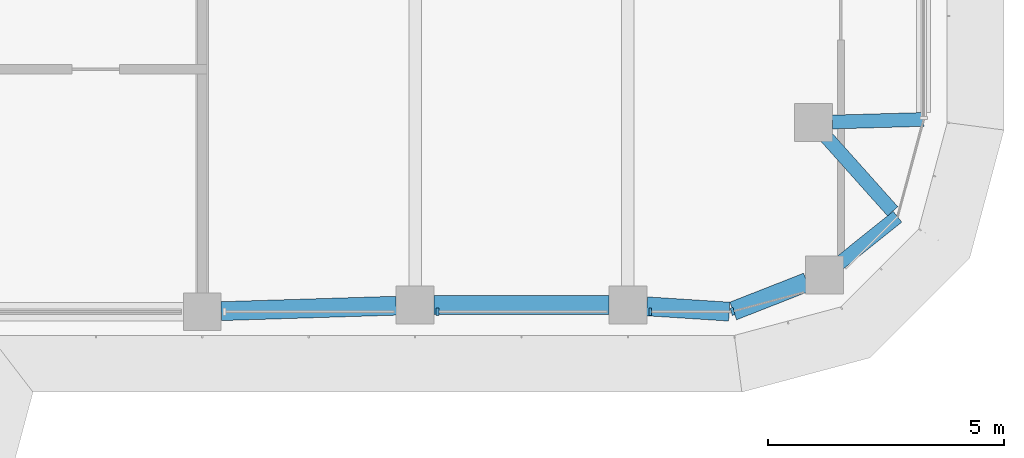
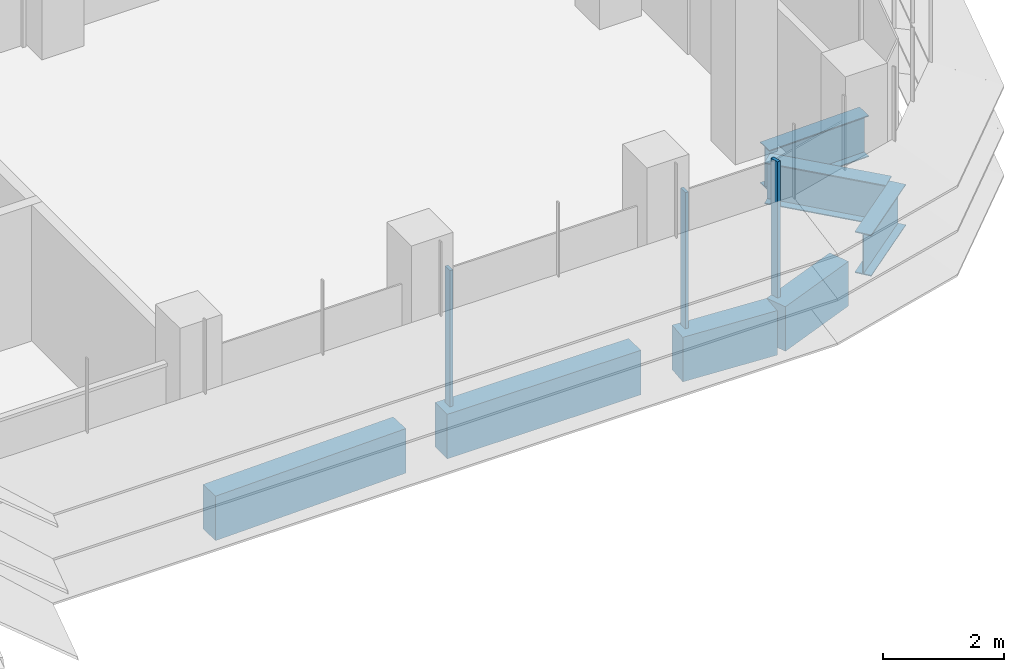
# One storey, part 5 of 20: 7 beams, 3 members, 2 elements without a shape of their own.
"""IFC4 building model written with IfcOpenShell, lengths in metres."""

from ifc_helpers import new_model, si_unit, direction, frame, origin, origin_2d, place, context, subcontext, project, spatial, polyline, rectangle, i_section, outline, extrude, source, transform, mapped, material, material_profile, profile_set, type_object, element, aggregate, save


model = new_model("IFC4")

# Units and contexts
model_context = context("Model", 3, precision=1e-05, world=origin(), true_north=direction((0.0, 1.0)))
body_context = subcontext(model_context, "Body", "Model", "MODEL_VIEW")
ifc_project = project(units=[si_unit("LENGTHUNIT", "METRE"), si_unit("AREAUNIT", "SQUARE_METRE"), si_unit("VOLUMEUNIT", "CUBIC_METRE"), si_unit("PLANEANGLEUNIT", "RADIAN"), si_unit("MASSUNIT", "GRAM", prefix="KILO")], contexts=[model_context])

# Site, building, storey
site_placement = place(None, origin())
site = spatial("IfcSite", under=ifc_project, at=site_placement, CompositionType="ELEMENT")
building_placement = place(site_placement, origin())
building = spatial("IfcBuilding", under=site, at=building_placement, Name="Zarbagh Exchange Tower", CompositionType="ELEMENT")
storey_placement = place(building_placement, frame((0.0, 0.0, 186.60009765625)))
storey = spatial("IfcBuildingStorey", under=building, at=storey_placement, Name="L45", CompositionType="ELEMENT", Elevation=186.60009765625)

# Beams
ifc_material_1 = material(Name="Steel ASTM A992 Gr 50", Category="steel")
ifc_material_profile_1 = material_profile(ifc_material_1, i_section(OverallWidth=0.2919921875, OverallDepth=0.835693359375, WebThickness=0.013916015625, FlangeThickness=0.018798828125, at=origin_2d()), Name="W33X118")
ifc_profile_set_1 = profile_set([ifc_material_profile_1], Name="Steel ASTM A992 Gr 50")
beam_type_1 = type_object("IfcBeamType", Name="Floor girder W33X118", PredefinedType="BEAM", material=ifc_profile_set_1)
beam_1_placement = place(storey_placement, frame((31.0, -2.18408203125, -0.56787109375), z_axis=(-0.999598864551, -0.028321546377, 0.0), x_axis=(0.028321546377, -0.999598864551, 0.0)))
element("IfcBeam", 1, at=beam_1_placement, inside=storey, type_object=beam_type_1, Name="Steel girder", PredefinedType="BEAM", context=body_context, shape_type="SweptSolid", body=[
    extrude(i_section(OverallWidth=0.2919921875, OverallDepth=0.835693359375, WebThickness=0.013916015625, FlangeThickness=0.018798828125, at=origin_2d()), origin(), (0.0, 0.0, 1.0), 1.930908203125),
])
beam_2_placement = place(storey_placement, frame((28.9365234375, -2.54833984375, -0.56787109375), z_axis=(0.666238158503, -0.745739040251, 0.0), x_axis=(0.745739040251, 0.666238158503, 0.0)))
element("IfcBeam", 2, at=beam_2_placement, inside=storey, type_object=beam_type_1, Name="Steel girder", PredefinedType="BEAM", context=body_context, shape_type="SweptSolid", body=[
    extrude(i_section(OverallWidth=0.2919921875, OverallDepth=0.835693359375, WebThickness=0.013916015625, FlangeThickness=0.018798828125, at=origin_2d()), origin(), (0.0, 0.0, 1.0), 2.115966796875),
])
beam_3_placement = place(storey_placement, frame((30.44873046875, -4.2412109375, -0.56787109375), z_axis=(-0.780535770033, -0.625111119482, 0.0), x_axis=(0.625111119482, -0.780535770033, 0.0)))
element("IfcBeam", 3, at=beam_3_placement, inside=storey, type_object=beam_type_1, Name="Steel girder", PredefinedType="BEAM", context=body_context, shape_type="SweptSolid", body=[
    extrude(i_section(OverallWidth=0.2919921875, OverallDepth=0.835693359375, WebThickness=0.013916015625, FlangeThickness=0.018798828125, at=origin_2d()), origin(), (0.0, 0.0, 1.0), 1.573974609375),
])
ifc_material_2 = material(Name="Concrete C50/60", Category="concrete")
ifc_material_profile_2 = material_profile(ifc_material_2, rectangle(XDim=0.39990234375, YDim=0.89990234375, at=origin_2d()), Name="RC spandrel beam 400 x 900 C50/60")
ifc_profile_set_2 = profile_set([ifc_material_profile_2], Name="Concrete C50/60")
beam_type_2 = type_object("IfcBeamType", Name="RC spandrel beam 400 x 900 C50/60", PredefinedType="SPANDREL", material=ifc_profile_set_2)
beam_4_placement = place(storey_placement, frame((28.53564453125, -5.62109375, -0.60009765625), z_axis=(-0.930818758612, -0.36548110569, 0.0), x_axis=(0.36548110569, -0.930818758612, 0.0)))
element("IfcBeam", 4, at=beam_4_placement, inside=storey, type_object=beam_type_2, Name="RC spandrel beam", PredefinedType="SPANDREL", context=body_context, shape_type="SweptSolid", body=[
    extrude(rectangle(XDim=0.39990234375, YDim=0.89990234375, at=origin_2d()), origin(), (0.0, 0.0, 1.0), 1.676025390625),
])
beam_5_placement = place(storey_placement, frame((26.8896484375, -6.247314453125, -0.60009765625), z_axis=(-0.997942679773, 0.064112462805, 0.0), x_axis=(-0.064112462805, -0.997942679773, 0.0)))
element("IfcBeam", 5, at=beam_5_placement, inside=storey, type_object=beam_type_2, Name="RC spandrel beam", PredefinedType="SPANDREL", context=body_context, shape_type="SweptSolid", body=[
    extrude(rectangle(XDim=0.39990234375, YDim=0.89990234375, at=origin_2d()), origin(), (0.0, 0.0, 1.0), 1.744140625),
])
beam_6_placement = place(storey_placement, frame((24.35009765625, -6.110107421875, -0.60009765625), z_axis=(-1.0, 0.0, 0.0), x_axis=(0.0, -1.0, 0.0)))
element("IfcBeam", 6, at=beam_6_placement, inside=storey, type_object=beam_type_2, Name="RC spandrel beam", PredefinedType="SPANDREL", context=body_context, shape_type="SweptSolid", body=[
    extrude(rectangle(XDim=0.39990234375, YDim=0.89990234375, at=origin_2d()), origin(), (0.0, 0.0, 1.0), 3.7001953125),
])
beam_7_placement = place(storey_placement, frame((19.85009765625, -6.122314453125, -0.60009765625), z_axis=(-0.999515416033, -0.031127690444, 0.0), x_axis=(0.031127690444, -0.999515416033, 0.0)))
element("IfcBeam", 7, at=beam_7_placement, inside=storey, type_object=beam_type_2, Name="RC spandrel beam", PredefinedType="SPANDREL", context=body_context, shape_type="SweptSolid", body=[
    extrude(rectangle(XDim=0.39990234375, YDim=0.89990234375, at=origin_2d()), origin(), (0.0, 0.0, 1.0), 3.701904296875),
])

# Curtain wall, members
ifc_material_3 = material(Name="Anodised aluminium frame and glazing", Category="aluminium")
curtain_wall_type = type_object("IfcCurtainWallType", Name="CWB Ribbon glazing, upper zones", PredefinedType="NOTDEFINED", material=ifc_material_3)
curtain_wall_1_placement = place(storey_placement, origin())
curtain_wall_1 = element("IfcCurtainWall", 8, at=curtain_wall_1_placement, inside=storey, type_object=curtain_wall_type, Name="CWB08 curtain wall", PredefinedType="NOTDEFINED")
ifc_material_4 = material(Name="Anodised aluminium frame", Category="aluminium")
member_type = type_object("IfcMemberType", Name="MUB Mullion, anodised aluminium frame", PredefinedType="MULLION", material=ifc_material_4)
shared_shape = source(origin(), body_context, "Body", "SweptSolid", [
    extrude(outline(polyline([(0.0, -0.080078125), (0.06005859375, -0.080078125), (0.06005859375, 0.080078125), (0.0, 0.080078125), (0.0, -0.080078125)])), origin(), (0.0, 0.0, 1.0), 2.75),
])
placement = place(storey_placement, origin())
member_1 = element("IfcMember", 9, at=placement, type_object=member_type, Name="CWB08 mullion 3.1", PredefinedType="MULLION", context=body_context, shape_type="MappedRepresentation", body=[
    mapped(shared_shape, transform((20.68994140625, -6.25, 0.0), x_axis=(1.0, 0.0, 0.0), y_axis=(0.0, 1.0, 0.0), z_axis=(0.0, 0.0, 1.0))),
])
member_2 = element("IfcMember", 10, at=placement, type_object=member_type, Name="CWB08 mullion 4.1", PredefinedType="MULLION", context=body_context, shape_type="MappedRepresentation", body=[
    mapped(shared_shape, transform((25.18994140625, -6.25, 0.0), x_axis=(1.0, 0.0, 0.0), y_axis=(0.0, 1.0, 0.0), z_axis=(0.0, 0.0, 1.0))),
])
aggregate(curtain_wall_1, [member_1, member_2])

# Curtain wall, member
curtain_wall_2_placement = place(storey_placement, origin())
curtain_wall_2 = element("IfcCurtainWall", 11, at=curtain_wall_2_placement, inside=storey, type_object=curtain_wall_type, Name="CWB09 curtain wall", PredefinedType="NOTDEFINED")
member_3 = element("IfcMember", 12, at=placement, type_object=member_type, Name="CWB09 mullion 1.1", PredefinedType="MULLION", context=body_context, shape_type="MappedRepresentation", body=[
    mapped(shared_shape, transform((26.93408203125, -6.25, 0.0), x_axis=(0.965924289636, 0.258824779902, 0.0), y_axis=(-0.258824779902, 0.965924289636, 0.0), z_axis=(0.0, 0.0, 1.0))),
])
aggregate(curtain_wall_2, [member_3])

save(model, "model.ifc")
